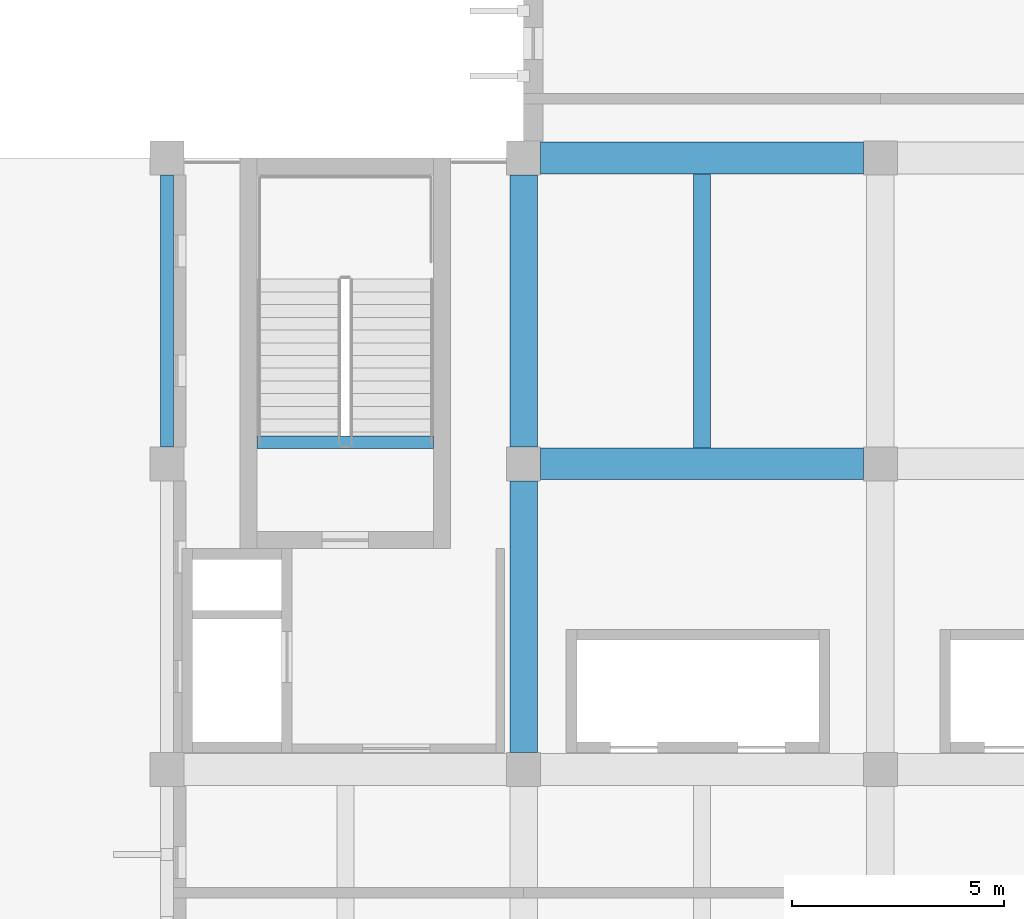
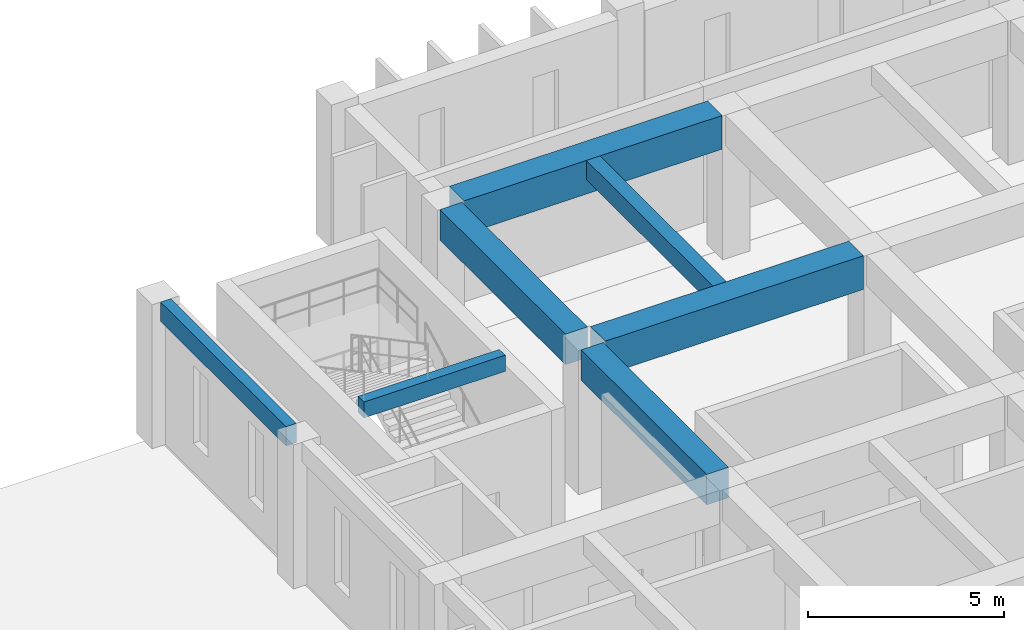
# One storey, part 16 of 40: 7 beams.
"""IFC4 building model written with IfcOpenShell, lengths in metres."""

from ifc_helpers import new_model, si_unit, direction, frame, origin, origin_2d, place, context, subcontext, project, spatial, rectangle, extrude, material, material_profile, profile_set, type_object, element, save


model = new_model("IFC4")

# Units and contexts
model_context = context("Model", 3, precision=1e-05, world=origin(), true_north=direction((0.0, 1.0)))
body_context = subcontext(model_context, "Body", "Model", "MODEL_VIEW")
ifc_project = project(units=[si_unit("LENGTHUNIT", "METRE"), si_unit("AREAUNIT", "SQUARE_METRE"), si_unit("VOLUMEUNIT", "CUBIC_METRE"), si_unit("PLANEANGLEUNIT", "RADIAN"), si_unit("MASSUNIT", "GRAM", prefix="KILO")], contexts=[model_context])

# Site, building, storey
site_placement = place(None, origin())
site = spatial("IfcSite", under=ifc_project, at=site_placement, CompositionType="ELEMENT")
building_placement = place(site_placement, origin())
building = spatial("IfcBuilding", under=site, at=building_placement, Name="Kenerak Square Central Library", CompositionType="ELEMENT")
storey_placement = place(building_placement, frame((0.0, 0.0, 14.39990234375)))
storey = spatial("IfcBuildingStorey", under=building, at=storey_placement, Name="L03", CompositionType="ELEMENT", Elevation=14.39990234375)

# Beams
ifc_material_1 = material(Name="Concrete C45/55", Category="concrete")
ifc_material_profile_1 = material_profile(ifc_material_1, rectangle(XDim=0.64990234375, YDim=0.949951171875, at=origin_2d()), Name="RC 650x950")
ifc_profile_set_1 = profile_set([ifc_material_profile_1], Name="Concrete C45/55")
beam_type_1 = type_object("IfcBeamType", Name="Book Stack Girder B-02 RC 650x950 C45/55", PredefinedType="BEAM", material=ifc_profile_set_1)
beam_1_placement = place(storey_placement, frame((66.800048828125, 96.39990234375, 4.005126953125), z_axis=(0.0, 1.0, 0.0), x_axis=(-1.0, 0.0, 0.0)))
element("IfcBeam", 1, at=beam_1_placement, inside=storey, type_object=beam_type_1, Name="Beam B-02 L03 1465", PredefinedType="BEAM", context=body_context, shape_type="SweptSolid", body=[
    extrude(rectangle(XDim=0.64990234375, YDim=0.949951171875, at=origin_2d()), origin(), (0.0, 0.0, 1.0), 6.400146484375),
])
beam_2_placement = place(storey_placement, frame((66.800048828125, 103.60009765625, 4.005126953125), z_axis=(0.0, 1.0, 0.0), x_axis=(-1.0, 0.0, 0.0)))
element("IfcBeam", 2, at=beam_2_placement, inside=storey, type_object=beam_type_1, Name="Beam B-02 L03 1466", PredefinedType="BEAM", context=body_context, shape_type="SweptSolid", body=[
    extrude(rectangle(XDim=0.64990234375, YDim=0.949951171875, at=origin_2d()), origin(), (0.0, 0.0, 1.0), 6.39990234375),
])
ifc_material_profile_2 = material_profile(ifc_material_1, rectangle(XDim=0.75, YDim=1.050048828125, at=origin_2d()), Name="RC 750x1050")
ifc_profile_set_2 = profile_set([ifc_material_profile_2], Name="Concrete C45/55")
beam_type_2 = type_object("IfcBeamType", Name="Compact Stack Girder B-01 RC 750x1050 C45/55", PredefinedType="BEAM", material=ifc_profile_set_2)
for number, where, z_axis, x_axis, name in (
    (3, (67.199951171875, 103.199951171875, 3.955078125), (1.0, 0.0, 0.0), (0.0, 1.0, 0.0), "Beam B-01 L03 1451"),
    (4, (67.199951171875, 110.39990234375, 3.955078125), (1.0, 0.0, 0.0), (0.0, 1.0, 0.0), "Beam B-01 L03 1456"),
):
    element("IfcBeam", number, at=place(storey_placement, frame(where, z_axis=z_axis, x_axis=x_axis)), inside=storey, type_object=beam_type_2, Name=name, PredefinedType="BEAM", context=body_context, shape_type="SweptSolid", body=[
        extrude(rectangle(XDim=0.75, YDim=1.050048828125, at=origin_2d()), origin(), (0.0, 0.0, 1.0), 7.60009765625),
    ])
ifc_material_2 = material(Name="Concrete C40/50", Category="concrete")
ifc_material_profile_3 = material_profile(ifc_material_2, rectangle(XDim=0.300048828125, YDim=0.60009765625, at=origin_2d()), Name="RC 300x600")
ifc_profile_set_3 = profile_set([ifc_material_profile_3], Name="Concrete C40/50")
beam_type_3 = type_object("IfcBeamType", Name="Courtyard Spandrel Beam SP-02 RC 300x600 C40/50", PredefinedType="SPANDREL", material=ifc_profile_set_3)
beam_3_placement = place(storey_placement, frame((58.39990234375, 103.60009765625, 4.18017578125), z_axis=(0.0, 1.0, 0.0), x_axis=(-1.0, 0.0, 0.0)))
element("IfcBeam", 5, at=beam_3_placement, inside=storey, type_object=beam_type_3, Name="Beam SP-02 L03 1463", PredefinedType="SPANDREL", context=body_context, shape_type="SweptSolid", body=[
    extrude(rectangle(XDim=0.300048828125, YDim=0.60009765625, at=origin_2d()), origin(), (0.0, 0.0, 1.0), 6.39990234375),
])
ifc_material_profile_4 = material_profile(ifc_material_2, rectangle(XDim=0.300048828125, YDim=0.5, at=origin_2d()), Name="RC 300x500")
ifc_profile_set_4 = profile_set([ifc_material_profile_4], Name="Concrete C40/50")
beam_type_4 = type_object("IfcBeamType", Name="Landing Support Beam B-08 RC 300x500 C40/50", PredefinedType="BEAM", material=ifc_profile_set_4)
beam_4_placement = place(storey_placement, frame((60.52001953125, 103.7099609375, 4.22998046875), z_axis=(1.0, 0.0, 0.0), x_axis=(0.0, 1.0, 0.0)))
element("IfcBeam", 6, at=beam_4_placement, inside=storey, type_object=beam_type_4, Name="Stair Threshold Beam B-08 ST-01 L04", PredefinedType="BEAM", context=body_context, shape_type="SweptSolid", body=[
    extrude(rectangle(XDim=0.300048828125, YDim=0.5, at=origin_2d()), origin(), (0.0, 0.0, 1.0), 4.159912109375),
])
ifc_material_profile_5 = material_profile(ifc_material_2, rectangle(XDim=0.39990234375, YDim=0.60009765625, at=origin_2d()), Name="RC 400x600")
ifc_profile_set_5 = profile_set([ifc_material_profile_5], Name="Concrete C40/50")
beam_type_5 = type_object("IfcBeamType", Name="Secondary Floor Joist J-01 RC 400x600 C40/50", PredefinedType="JOIST", material=ifc_profile_set_5)
beam_5_placement = place(storey_placement, frame((71.0, 103.574951171875, 4.18017578125), z_axis=(0.0, 1.0, 0.0), x_axis=(-1.0, 0.0, 0.0)))
element("IfcBeam", 7, at=beam_5_placement, inside=storey, type_object=beam_type_5, Name="Joist J-01 L03 1511", PredefinedType="JOIST", context=body_context, shape_type="SweptSolid", body=[
    extrude(rectangle(XDim=0.39990234375, YDim=0.60009765625, at=origin_2d()), origin(), (0.0, 0.0, 1.0), 6.449951171875),
])

save(model, "model.ifc")
